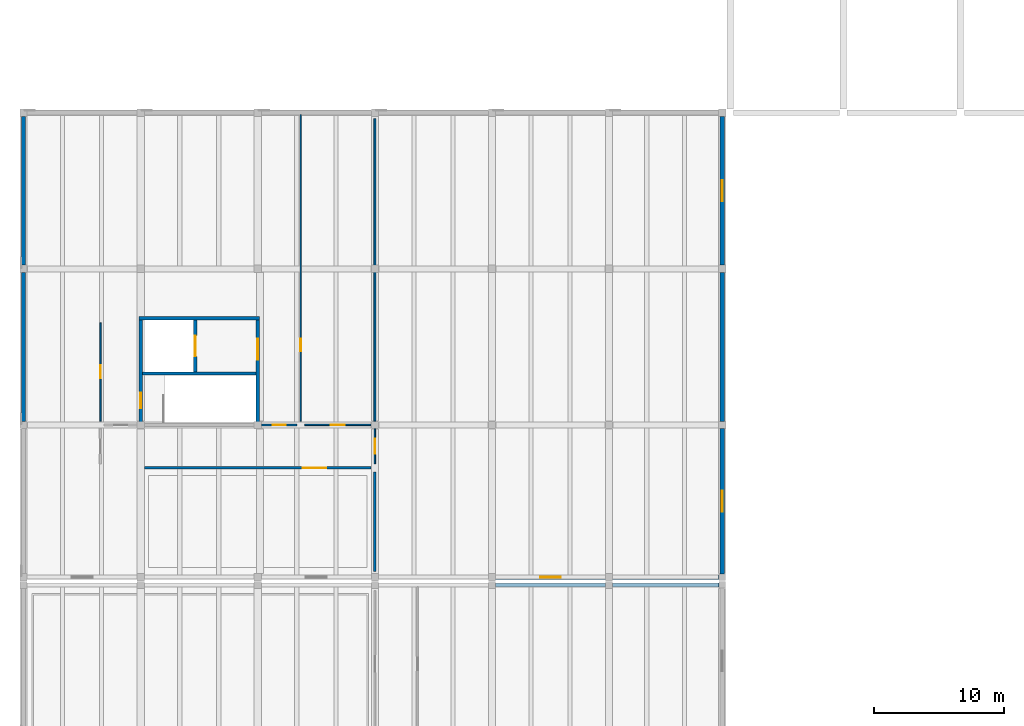
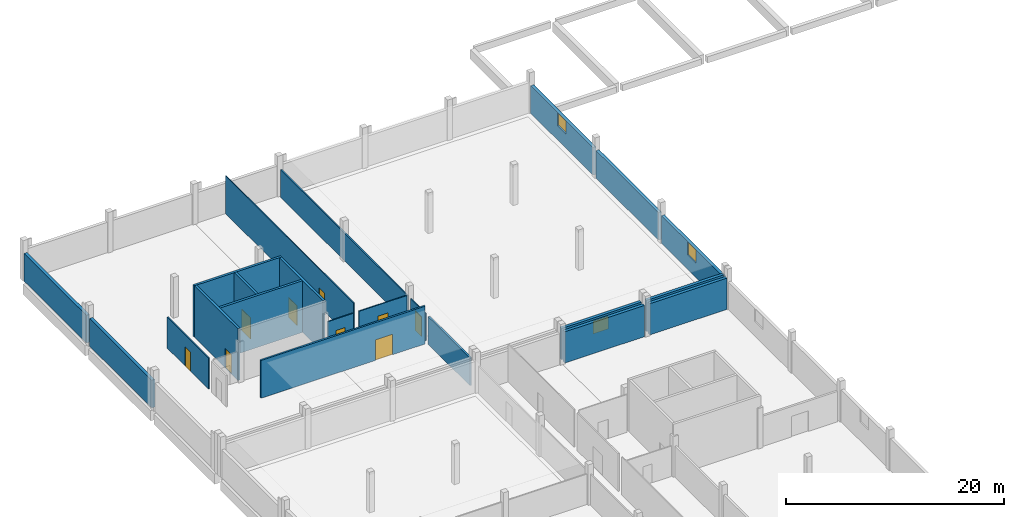
# One storey, part 11 of 25: 22 walls, 9 doors, 3 windows, 12 openings.
"""IFC4 building model written with IfcOpenShell, lengths in metres."""

from ifc_helpers import new_model, si_unit, direction, frame, frame_2d, origin, place, context, subcontext, project, spatial, rectangle, extrude, material, layer, layer_set, type_object, element, fill, save


model = new_model("IFC4")

# Units and contexts
model_context = context("Model", 3, precision=1e-05, world=origin(), true_north=direction((0.0, 1.0)))
body_context = subcontext(model_context, "Body", "Model", "MODEL_VIEW")
ifc_project = project(units=[si_unit("LENGTHUNIT", "METRE"), si_unit("AREAUNIT", "SQUARE_METRE"), si_unit("VOLUMEUNIT", "CUBIC_METRE"), si_unit("PLANEANGLEUNIT", "RADIAN"), si_unit("MASSUNIT", "GRAM", prefix="KILO")], contexts=[model_context])

# Site, building, storey
site_placement = place(None, origin())
site = spatial("IfcSite", under=ifc_project, at=site_placement, CompositionType="ELEMENT")
building_placement = place(site_placement, origin())
building = spatial("IfcBuilding", under=site, at=building_placement, Name="Zacnel Wholesale Market", CompositionType="ELEMENT")
storey_placement = place(building_placement, frame((0.0, 0.0, 15.75)))
storey = spatial("IfcBuildingStorey", under=building, at=storey_placement, Name="L04", CompositionType="ELEMENT", Elevation=15.75)

# Wall, opening, door
ifc_material_1 = material(Name="PIR insulated cold-store panel")
ifc_layer_1 = layer(ifc_material_1, 0.195068359375)
ifc_layer_set_1 = layer_set([ifc_layer_1], Name="PIR insulated cold-store panel")
wall_type_1 = type_object("IfcWallType", Name="WL-COLD-INT195", PredefinedType="STANDARD", material=ifc_layer_set_1)
wall_1_placement = place(storey_placement, frame((27.300048828125, 104.699951171875, 0.0), z_axis=(0.0, 0.0, 1.0), x_axis=(1.0, 0.0, 0.0)))
wall_1 = element("IfcWall", 1, at=wall_1_placement, inside=storey, type_object=wall_type_1, Name="Interior partition L04-0200", PredefinedType="STANDARD", context=body_context, shape_type="SweptSolid", body=[
    extrude(rectangle(XDim=17.39990234375, YDim=0.195068359375, at=frame_2d((8.699951171875, 0.0))), origin(), (0.0, 0.0, 1.0), 4.22998046875),
])
opening_1_placement = place(wall_1_placement, frame((12.14990234375, 0.0, 0.0)))
opening_1 = element("IfcOpeningElement", 2, at=opening_1_placement, cuts=wall_1, Name="Opening FD-03", PredefinedType="OPENING", context=body_context, shape_type="SweptSolid", body=[
    extrude(rectangle(XDim=1.800048828125, YDim=2.300048828125, at=frame_2d((0.89990234375, 1.14990234375))), frame((0.0, 0.107421875, 0.0), z_axis=(0.0, -1.0, 0.0), x_axis=(1.0, 0.0, 0.0)), (0.0, 0.0, 1.0), 0.215087890625),
])
ifc_material_2 = material(Name="Galvanized steel", Category="steel")
door_type_1 = type_object("IfcDoorType", Name="DR-FIRE-COMP-1800", OperationType="NOTDEFINED", PredefinedType="DOOR", material=ifc_material_2)
door_1_placement = place(opening_1_placement, origin())
door_1 = element("IfcDoor", 3, at=door_1_placement, inside=storey, type_object=door_type_1, Name="Interior door L04-0155", OperationType="SINGLE_SWING_RIGHT", OverallHeight=2.300048828125, OverallWidth=1.800048828125, PredefinedType="DOOR", context=body_context, shape_type="SweptSolid", body=[
    extrude(rectangle(XDim=1.800048828125, YDim=2.300048828125, at=frame_2d((0.89990234375, 1.14990234375))), frame((0.0, 0.02490234375, 0.0), z_axis=(0.0, -1.0, 0.0), x_axis=(1.0, 0.0, 0.0)), (0.0, 0.0, 1.0), 0.050048828125),
])
fill(opening_1, door_1)

# Walls
wall_2_placement = place(storey_placement, frame((45.0, 96.75, 0.0), z_axis=(0.0, 0.0, 1.0), x_axis=(0.0, 1.0, 0.0)))
element("IfcWall", 4, at=wall_2_placement, inside=storey, type_object=wall_type_1, Name="Interior partition L04-0206", PredefinedType="STANDARD", context=body_context, shape_type="SweptSolid", body=[
    extrude(rectangle(XDim=7.64990234375, YDim=0.195068359375, at=frame_2d((3.824951171875, 0.0))), origin(), (0.0, 0.0, 1.0), 3.10009765625),
])
ifc_material_3 = material(Name="Concrete C40/50", Category="concrete")
ifc_layer_2 = layer(ifc_material_3, 0.25)
ifc_layer_set_2 = layer_set([ifc_layer_2], Name="Concrete C40/50")
wall_type_2 = type_object("IfcWallType", Name="WL-CORE-SW250", PredefinedType="SOLIDWALL", material=ifc_layer_set_2)
wall_3_placement = place(storey_placement, frame((26.875, 116.199951171875, 0.0), z_axis=(0.0, 0.0, 1.0), x_axis=(1.0, 0.0, 0.0)))
element("IfcWall", 5, at=wall_3_placement, inside=storey, type_object=wall_type_2, Name="Core C5 north shear wall L04", PredefinedType="SOLIDWALL", context=body_context, shape_type="SweptSolid", body=[
    extrude(rectangle(XDim=9.25, YDim=0.25, at=frame_2d((4.625, 0.0))), origin(), (0.0, 0.0, 1.0), 5.800048828125),
])

# Wall, opening, door
wall_4_placement = place(storey_placement, frame((27.0, 108.125, 0.0), z_axis=(0.0, 0.0, 1.0), x_axis=(0.0, 1.0, 0.0)))
wall_4 = element("IfcWall", 6, at=wall_4_placement, inside=storey, type_object=wall_type_2, Name="Core C5 west shear wall L04", PredefinedType="SOLIDWALL", context=body_context, shape_type="SweptSolid", body=[
    extrude(rectangle(XDim=7.949951171875, YDim=0.25, at=frame_2d((3.97509765625, 0.0))), origin(), (0.0, 0.0, 1.0), 5.800048828125),
])
opening_2_placement = place(wall_4_placement, frame((1.14990234375, 0.0, 0.0)))
opening_2 = element("IfcOpeningElement", 7, at=opening_2_placement, cuts=wall_4, Name="Opening FD-01", PredefinedType="OPENING", context=body_context, shape_type="SweptSolid", body=[
    extrude(rectangle(XDim=1.199951171875, YDim=2.199951171875, at=frame_2d((0.60009765625, 1.10009765625))), frame((0.0, 0.135009765625, 0.0), z_axis=(0.0, -1.0, 0.0), x_axis=(1.0, 0.0, 0.0)), (0.0, 0.0, 1.0), 0.27001953125),
])
ifc_material_4 = material(Name="Galvanized steel", Category="steel")
door_type_2 = type_object("IfcDoorType", Name="DR-FIRE-STAIR-1200", OperationType="NOTDEFINED", PredefinedType="DOOR", material=ifc_material_4)
door_2_placement = place(opening_2_placement, origin())
door_2 = element("IfcDoor", 8, at=door_2_placement, inside=storey, type_object=door_type_2, Name="Protected stair fire door C5 L04", OperationType="SINGLE_SWING_RIGHT", OverallHeight=2.199951171875, OverallWidth=1.199951171875, PredefinedType="DOOR", context=body_context, shape_type="SweptSolid", body=[
    extrude(rectangle(XDim=1.199951171875, YDim=2.199951171875, at=frame_2d((0.60009765625, 1.10009765625))), frame((0.0, 0.02490234375, 0.0), z_axis=(0.0, -1.0, 0.0), x_axis=(1.0, 0.0, 0.0)), (0.0, 0.0, 1.0), 0.050048828125),
])
fill(opening_2, door_2)

wall_5_placement = place(storey_placement, frame((36.0, 108.125, 0.0), z_axis=(0.0, 0.0, 1.0), x_axis=(0.0, 1.0, 0.0)))
wall_5 = element("IfcWall", 9, at=wall_5_placement, inside=storey, type_object=wall_type_2, Name="Core C5 east shear wall L04", PredefinedType="SOLIDWALL", context=body_context, shape_type="SweptSolid", body=[
    extrude(rectangle(XDim=7.949951171875, YDim=0.25, at=frame_2d((3.97509765625, 0.0))), origin(), (0.0, 0.0, 1.0), 5.800048828125),
])
opening_3_placement = place(wall_5_placement, frame((4.89990234375, 0.0, 0.0)))
opening_3 = element("IfcOpeningElement", 10, at=opening_3_placement, cuts=wall_5, Name="Opening FD-02", PredefinedType="OPENING", context=body_context, shape_type="SweptSolid", body=[
    extrude(rectangle(XDim=1.60009765625, YDim=2.199951171875, at=frame_2d((0.800048828125, 1.10009765625))), frame((0.0, 0.135009765625, 0.0), z_axis=(0.0, -1.0, 0.0), x_axis=(1.0, 0.0, 0.0)), (0.0, 0.0, 1.0), 0.27001953125),
])
ifc_material_5 = material(Name="Galvanized steel", Category="steel")
door_type_3 = type_object("IfcDoorType", Name="DR-FIRE-LOBBY-1600", OperationType="NOTDEFINED", PredefinedType="DOOR", material=ifc_material_5)
door_3_placement = place(opening_3_placement, origin())
door_3 = element("IfcDoor", 11, at=door_3_placement, inside=storey, type_object=door_type_3, Name="Core lift lobby fire door C5 L04", OperationType="SINGLE_SWING_LEFT", OverallHeight=2.199951171875, OverallWidth=1.60009765625, PredefinedType="DOOR", context=body_context, shape_type="SweptSolid", body=[
    extrude(rectangle(XDim=1.60009765625, YDim=2.199951171875, at=frame_2d((0.800048828125, 1.10009765625))), frame((0.0, 0.02490234375, 0.0), z_axis=(0.0, -1.0, 0.0), x_axis=(1.0, 0.0, 0.0)), (0.0, 0.0, 1.0), 0.050048828125),
])
fill(opening_3, door_3)

# Wall
wall_6_placement = place(storey_placement, frame((27.125, 111.949951171875, 0.0), z_axis=(0.0, 0.0, 1.0), x_axis=(1.0, 0.0, 0.0)))
element("IfcWall", 12, at=wall_6_placement, inside=storey, type_object=wall_type_2, Name="Core C5 stair-shaft shear wall L04", PredefinedType="SOLIDWALL", context=body_context, shape_type="SweptSolid", body=[
    extrude(rectangle(XDim=8.75, YDim=0.25, at=frame_2d((4.375, 0.0))), origin(), (0.0, 0.0, 1.0), 5.800048828125),
])

# Wall, opening, door
wall_7_placement = place(storey_placement, frame((31.199951171875, 112.074951171875, 0.0), z_axis=(0.0, 0.0, 1.0), x_axis=(0.0, 1.0, 0.0)))
wall_7 = element("IfcWall", 13, at=wall_7_placement, inside=storey, type_object=wall_type_2, Name="Core C5 lift shaft front wall L04", PredefinedType="SOLIDWALL", context=body_context, shape_type="SweptSolid", body=[
    extrude(rectangle(XDim=4.0, YDim=0.25, at=frame_2d((2.0, 0.0))), origin(), (0.0, 0.0, 1.0), 5.800048828125),
])
opening_4_placement = place(wall_7_placement, frame((1.199951171875, 0.0, 0.0)))
opening_4 = element("IfcOpeningElement", 14, at=opening_4_placement, cuts=wall_7, Name="Opening LD-02", PredefinedType="OPENING", context=body_context, shape_type="SweptSolid", body=[
    extrude(rectangle(XDim=1.60009765625, YDim=2.39990234375, at=frame_2d((0.800048828125, 1.199951171875))), frame((0.0, 0.135009765625, 0.0), z_axis=(0.0, -1.0, 0.0), x_axis=(1.0, 0.0, 0.0)), (0.0, 0.0, 1.0), 0.27001953125),
])
ifc_material_6 = material(Name="Galvanized steel", Category="steel")
door_type_4 = type_object("IfcDoorType", Name="DR-LIFT-GOODS-1600", OperationType="NOTDEFINED", PredefinedType="DOOR", material=ifc_material_6)
door_4_placement = place(opening_4_placement, origin())
door_4 = element("IfcDoor", 15, at=door_4_placement, inside=storey, type_object=door_type_4, Name="Lift landing door LG-03 L04", OperationType="SLIDING_TO_LEFT", OverallHeight=2.39990234375, OverallWidth=1.60009765625, PredefinedType="DOOR", context=body_context, shape_type="SweptSolid", body=[
    extrude(rectangle(XDim=1.60009765625, YDim=2.39990234375, at=frame_2d((0.800048828125, 1.199951171875))), frame((0.0, 0.02490234375, 0.0), z_axis=(0.0, -1.0, 0.0), x_axis=(1.0, 0.0, 0.0)), (0.0, 0.0, 1.0), 0.050048828125),
])
fill(opening_4, door_4)

# Walls
ifc_material_7 = material(Name="Precast concrete C40/50 (insulated sandwich panel)", Category="concrete")
ifc_layer_3 = layer(ifc_material_7, 0.320068359375)
ifc_layer_set_3 = layer_set([ifc_layer_3], Name="Precast concrete C40/50 (insulated sandwich panel)")
wall_type_3 = type_object("IfcWallType", Name="WL-EXT-COLD-320", PredefinedType="SOLIDWALL", material=ifc_layer_set_3)
wall_8_placement = place(storey_placement, frame((54.27490234375, 95.699951171875, 0.0), z_axis=(0.0, 0.0, 1.0), x_axis=(1.0, 0.0, 0.0)))
element("IfcWall", 16, at=wall_8_placement, inside=storey, type_object=wall_type_3, Name="Exterior wall L04-0443", PredefinedType="SOLIDWALL", context=body_context, shape_type="SweptSolid", body=[
    extrude(rectangle(XDim=8.4501953125, YDim=0.320068359375, at=frame_2d((4.22509765625, 0.0))), origin(), (0.0, 0.0, 1.0), 3.5),
])
wall_9_placement = place(storey_placement, frame((63.27490234375, 95.699951171875, 0.0), z_axis=(0.0, 0.0, 1.0), x_axis=(1.0, 0.0, 0.0)))
element("IfcWall", 17, at=wall_9_placement, inside=storey, type_object=wall_type_3, Name="Exterior wall L04-0444", PredefinedType="SOLIDWALL", context=body_context, shape_type="SweptSolid", body=[
    extrude(rectangle(XDim=8.175048828125, YDim=0.320068359375, at=frame_2d((4.08740234375, 0.0))), origin(), (0.0, 0.0, 1.0), 3.5),
])

# Wall, opening, window
wall_10_placement = place(storey_placement, frame((54.27490234375, 96.300048828125, 0.0), z_axis=(0.0, 0.0, 1.0), x_axis=(1.0, 0.0, 0.0)))
wall_10 = element("IfcWall", 18, at=wall_10_placement, inside=storey, type_object=wall_type_3, Name="Exterior wall L04-0459", PredefinedType="SOLIDWALL", context=body_context, shape_type="SweptSolid", body=[
    extrude(rectangle(XDim=8.4501953125, YDim=0.320068359375, at=frame_2d((4.22509765625, 0.0))), origin(), (0.0, 0.0, 1.0), 3.5),
])
opening_5_placement = place(wall_10_placement, frame((3.425048828125, 0.0, 1.610107421875)))
opening_5 = element("IfcOpeningElement", 19, at=opening_5_placement, cuts=wall_10, Name="Opening W-06", PredefinedType="OPENING", context=body_context, shape_type="SweptSolid", body=[
    extrude(rectangle(XDim=1.60009765625, YDim=1.449951171875, at=frame_2d((0.800048828125, 0.72509765625))), frame((0.0, 0.169921875, 0.0), z_axis=(0.0, -1.0, 0.0), x_axis=(1.0, 0.0, 0.0)), (0.0, 0.0, 1.0), 0.340087890625),
])
ifc_material_8 = material(Name="Laminated hurricane-impact low-E insulated glass", Category="glass")
window_type = type_object("IfcWindowType", Name="WIN-HIG-1600X1450", PartitioningType="DOUBLE_PANEL_HORIZONTAL", PredefinedType="WINDOW", material=ifc_material_8)
window_1_placement = place(opening_5_placement, origin())
window_1 = element("IfcWindow", 20, at=window_1_placement, inside=storey, type_object=window_type, Name="Window L04-0493", OverallHeight=1.449951171875, OverallWidth=1.60009765625, PartitioningType="DOUBLE_PANEL_HORIZONTAL", PredefinedType="WINDOW", context=body_context, shape_type="SweptSolid", body=[
    extrude(rectangle(XDim=1.60009765625, YDim=1.449951171875, at=frame_2d((0.800048828125, 0.72509765625))), frame((0.0, 0.030029296875, 0.0), z_axis=(0.0, -1.0, 0.0), x_axis=(1.0, 0.0, 0.0)), (0.0, 0.0, 1.0), 0.06005859375),
])
fill(opening_5, window_1)

# Walls
wall_11_placement = place(storey_placement, frame((63.27490234375, 96.300048828125, 0.0), z_axis=(0.0, 0.0, 1.0), x_axis=(1.0, 0.0, 0.0)))
element("IfcWall", 21, at=wall_11_placement, inside=storey, type_object=wall_type_3, Name="Exterior wall L04-0460", PredefinedType="SOLIDWALL", context=body_context, shape_type="SweptSolid", body=[
    extrude(rectangle(XDim=8.175048828125, YDim=0.320068359375, at=frame_2d((4.08740234375, 0.0))), origin(), (0.0, 0.0, 1.0), 3.5),
])
for number, where, z_axis, x_axis, name in (
    (22, (18.0, 108.27490234375, 0.0), (0.0, 0.0, 1.0), (0.0, 1.0, 0.0), "Exterior wall L04-0468"),
    (23, (18.0, 120.27490234375, 0.0), (0.0, 0.0, 1.0), (0.0, 1.0, 0.0), "Exterior wall L04-0469"),
):
    element("IfcWall", number, at=place(storey_placement, frame(where, z_axis=z_axis, x_axis=x_axis)), inside=storey, type_object=wall_type_3, Name=name, PredefinedType="SOLIDWALL", context=body_context, shape_type="SweptSolid", body=[
        extrude(rectangle(XDim=11.4501953125, YDim=0.320068359375, at=frame_2d((5.72509765625, 0.0))), origin(), (0.0, 0.0, 1.0), 3.10009765625),
    ])

# Wall, opening, window
wall_12_placement = place(storey_placement, frame((71.699951171875, 96.550048828125, 0.0), z_axis=(0.0, 0.0, 1.0), x_axis=(0.0, 1.0, 0.0)))
wall_12 = element("IfcWall", 24, at=wall_12_placement, inside=storey, type_object=wall_type_3, Name="Exterior wall L04-0470", PredefinedType="SOLIDWALL", context=body_context, shape_type="SweptSolid", body=[
    extrude(rectangle(XDim=11.175048828125, YDim=0.320068359375, at=frame_2d((5.58740234375, 0.0))), origin(), (0.0, 0.0, 1.0), 3.10009765625),
])
opening_6_placement = place(wall_12_placement, frame((4.7880859375, 0.0, 1.610107421875)))
opening_6 = element("IfcOpeningElement", 25, at=opening_6_placement, cuts=wall_12, Name="Opening W-06", PredefinedType="OPENING", context=body_context, shape_type="SweptSolid", body=[
    extrude(rectangle(XDim=1.60009765625, YDim=1.449951171875, at=frame_2d((0.800048828125, 0.72509765625))), frame((0.0, 0.169921875, 0.0), z_axis=(0.0, -1.0, 0.0), x_axis=(1.0, 0.0, 0.0)), (0.0, 0.0, 1.0), 0.340087890625),
])
window_2_placement = place(opening_6_placement, origin())
window_2 = element("IfcWindow", 26, at=window_2_placement, inside=storey, type_object=window_type, Name="Window L04-0494", OverallHeight=1.449951171875, OverallWidth=1.60009765625, PartitioningType="DOUBLE_PANEL_HORIZONTAL", PredefinedType="WINDOW", context=body_context, shape_type="SweptSolid", body=[
    extrude(rectangle(XDim=1.60009765625, YDim=1.449951171875, at=frame_2d((0.800048828125, 0.72509765625))), frame((0.0, 0.030029296875, 0.0), z_axis=(0.0, -1.0, 0.0), x_axis=(1.0, 0.0, 0.0)), (0.0, 0.0, 1.0), 0.06005859375),
])
fill(opening_6, window_2)

# Wall
wall_13_placement = place(storey_placement, frame((71.699951171875, 108.27490234375, 0.0), z_axis=(0.0, 0.0, 1.0), x_axis=(0.0, 1.0, 0.0)))
element("IfcWall", 27, at=wall_13_placement, inside=storey, type_object=wall_type_3, Name="Exterior wall L04-0471", PredefinedType="SOLIDWALL", context=body_context, shape_type="SweptSolid", body=[
    extrude(rectangle(XDim=11.4501953125, YDim=0.320068359375, at=frame_2d((5.72509765625, 0.0))), origin(), (0.0, 0.0, 1.0), 3.10009765625),
])

# Wall, opening, window
wall_14_placement = place(storey_placement, frame((71.699951171875, 120.27490234375, 0.0), z_axis=(0.0, 0.0, 1.0), x_axis=(0.0, 1.0, 0.0)))
wall_14 = element("IfcWall", 28, at=wall_14_placement, inside=storey, type_object=wall_type_3, Name="Exterior wall L04-0472", PredefinedType="SOLIDWALL", context=body_context, shape_type="SweptSolid", body=[
    extrude(rectangle(XDim=11.4501953125, YDim=0.320068359375, at=frame_2d((5.72509765625, 0.0))), origin(), (0.0, 0.0, 1.0), 3.10009765625),
])
opening_7_placement = place(wall_14_placement, frame((4.925048828125, 0.0, 1.610107421875)))
opening_7 = element("IfcOpeningElement", 29, at=opening_7_placement, cuts=wall_14, Name="Opening W-06", PredefinedType="OPENING", context=body_context, shape_type="SweptSolid", body=[
    extrude(rectangle(XDim=1.60009765625, YDim=1.449951171875, at=frame_2d((0.800048828125, 0.72509765625))), frame((0.0, 0.169921875, 0.0), z_axis=(0.0, -1.0, 0.0), x_axis=(1.0, 0.0, 0.0)), (0.0, 0.0, 1.0), 0.340087890625),
])
window_3_placement = place(opening_7_placement, origin())
window_3 = element("IfcWindow", 30, at=window_3_placement, inside=storey, type_object=window_type, Name="Window L04-0495", OverallHeight=1.449951171875, OverallWidth=1.60009765625, PartitioningType="DOUBLE_PANEL_HORIZONTAL", PredefinedType="WINDOW", context=body_context, shape_type="SweptSolid", body=[
    extrude(rectangle(XDim=1.60009765625, YDim=1.449951171875, at=frame_2d((0.800048828125, 0.72509765625))), frame((0.0, 0.030029296875, 0.0), z_axis=(0.0, -1.0, 0.0), x_axis=(1.0, 0.0, 0.0)), (0.0, 0.0, 1.0), 0.06005859375),
])
fill(opening_7, window_3)

# Wall, opening, door
ifc_material_9 = material(Name="Moisture-resistant gypsum board partition")
ifc_layer_4 = layer(ifc_material_9, 0.10009765625)
ifc_layer_set_4 = layer_set([ifc_layer_4], Name="Moisture-resistant gypsum board partition")
wall_type_4 = type_object("IfcWallType", Name="WL-PART-GYP100", PredefinedType="PARTITIONING", material=ifc_layer_set_4)
wall_15_placement = place(storey_placement, frame((45.0, 105.0, 0.0), z_axis=(0.0, 0.0, 1.0), x_axis=(0.0, 1.0, 0.0)))
wall_15 = element("IfcWall", 31, at=wall_15_placement, inside=storey, type_object=wall_type_4, Name="Interior partition L04-0204", PredefinedType="PARTITIONING", context=body_context, shape_type="SweptSolid", body=[
    extrude(rectangle(XDim=2.699951171875, YDim=0.10009765625, at=frame_2d((1.35009765625, 0.0))), origin(), (0.0, 0.0, 1.0), 3.10009765625),
])
opening_8_placement = place(wall_15_placement, frame((0.77001953125, 0.0, 0.0)))
opening_8 = element("IfcOpeningElement", 32, at=opening_8_placement, cuts=wall_15, Name="Opening ID-13", PredefinedType="OPENING", context=body_context, shape_type="SweptSolid", body=[
    extrude(rectangle(XDim=1.159912109375, YDim=2.219970703125, at=frame_2d((0.580078125, 1.10986328125))), frame((0.0, 0.06005859375, 0.0), z_axis=(0.0, -1.0, 0.0), x_axis=(1.0, 0.0, 0.0)), (0.0, 0.0, 1.0), 0.1201171875),
])
ifc_material_10 = material(Name="Solid-core tropical hardwood door", Category="wood")
door_type_5 = type_object("IfcDoorType", Name="DR-LAB-SGL-1160", OperationType="NOTDEFINED", PredefinedType="DOOR", material=ifc_material_10)
door_5_placement = place(opening_8_placement, origin())
door_5 = element("IfcDoor", 33, at=door_5_placement, inside=storey, type_object=door_type_5, Name="Interior door L04-0159", OperationType="SINGLE_SWING_RIGHT", OverallHeight=2.219970703125, OverallWidth=1.159912109375, PredefinedType="DOOR", context=body_context, shape_type="SweptSolid", body=[
    extrude(rectangle(XDim=1.159912109375, YDim=2.219970703125, at=frame_2d((0.580078125, 1.10986328125))), frame((0.0, 0.02490234375, 0.0), z_axis=(0.0, -1.0, 0.0), x_axis=(1.0, 0.0, 0.0)), (0.0, 0.0, 1.0), 0.050048828125),
])
fill(opening_8, door_5)

wall_16_placement = place(storey_placement, frame((39.300048828125, 108.300048828125, 0.0), z_axis=(0.0, 0.0, 1.0), x_axis=(0.0, 1.0, 0.0)))
wall_16 = element("IfcWall", 34, at=wall_16_placement, inside=storey, type_object=wall_type_4, Name="Interior partition L04-0208", PredefinedType="PARTITIONING", context=body_context, shape_type="SweptSolid", body=[
    extrude(rectangle(XDim=23.56005859375, YDim=0.10009765625, at=frame_2d((11.780029296875, 0.0))), origin(), (0.0, 0.0, 1.0), 4.22998046875),
])
opening_9_placement = place(wall_16_placement, frame((5.360107421875, 0.0, 0.0)))
opening_9 = element("IfcOpeningElement", 35, at=opening_9_placement, cuts=wall_16, Name="Opening ID-04", PredefinedType="OPENING", context=body_context, shape_type="SweptSolid", body=[
    extrude(rectangle(XDim=0.97998046875, YDim=2.1201171875, at=frame_2d((0.489990234375, 1.06005859375))), frame((0.0, 0.06005859375, 0.0), z_axis=(0.0, -1.0, 0.0), x_axis=(1.0, 0.0, 0.0)), (0.0, 0.0, 1.0), 0.1201171875),
])
ifc_material_11 = material(Name="Solid-core tropical hardwood door", Category="wood")
door_type_6 = type_object("IfcDoorType", Name="DR-OFF-SGL-980", OperationType="NOTDEFINED", PredefinedType="DOOR", material=ifc_material_11)
door_6_placement = place(opening_9_placement, origin())
door_6 = element("IfcDoor", 36, at=door_6_placement, inside=storey, type_object=door_type_6, Name="Interior door L04-0162", OperationType="SINGLE_SWING_LEFT", OverallHeight=2.1201171875, OverallWidth=0.97998046875, PredefinedType="DOOR", context=body_context, shape_type="SweptSolid", body=[
    extrude(rectangle(XDim=0.97998046875, YDim=2.1201171875, at=frame_2d((0.489990234375, 1.06005859375))), frame((0.0, 0.02490234375, 0.0), z_axis=(0.0, -1.0, 0.0), x_axis=(1.0, 0.0, 0.0)), (0.0, 0.0, 1.0), 0.050048828125),
])
fill(opening_9, door_6)

ifc_material_12 = material(Name="Moisture-resistant gypsum board partition")
ifc_layer_5 = layer(ifc_material_12, 0.110107421875)
ifc_layer_set_5 = layer_set([ifc_layer_5], Name="Moisture-resistant gypsum board partition")
wall_type_5 = type_object("IfcWallType", Name="WL-PART-GYP110", PredefinedType="PARTITIONING", material=ifc_layer_set_5)
wall_17_placement = place(storey_placement, frame((39.60009765625, 108.0, 0.0), z_axis=(0.0, 0.0, 1.0), x_axis=(1.0, 0.0, 0.0)))
wall_17 = element("IfcWall", 37, at=wall_17_placement, inside=storey, type_object=wall_type_5, Name="Interior partition L04-0203", PredefinedType="PARTITIONING", context=body_context, shape_type="SweptSolid", body=[
    extrude(rectangle(XDim=5.099853515625, YDim=0.110107421875, at=frame_2d((2.5498046875, 0.0))), origin(), (0.0, 0.0, 1.0), 3.39990234375),
])
opening_10_placement = place(wall_17_placement, frame((2.010009765625, 0.0, 0.0)))
opening_10 = element("IfcOpeningElement", 38, at=opening_10_placement, cuts=wall_17, Name="Opening ID-10", PredefinedType="OPENING", context=body_context, shape_type="SweptSolid", body=[
    extrude(rectangle(XDim=1.080078125, YDim=2.14990234375, at=frame_2d((0.5400390625, 1.074951171875))), frame((0.0, 0.06494140625, 0.0), z_axis=(0.0, -1.0, 0.0), x_axis=(1.0, 0.0, 0.0)), (0.0, 0.0, 1.0), 0.130126953125),
])
ifc_material_13 = material(Name="Galvanized steel", Category="steel")
door_type_7 = type_object("IfcDoorType", Name="DR-STR-SGL-1080", OperationType="NOTDEFINED", PredefinedType="DOOR", material=ifc_material_13)
door_7_placement = place(opening_10_placement, origin())
door_7 = element("IfcDoor", 39, at=door_7_placement, inside=storey, type_object=door_type_7, Name="Interior door L04-0158", OperationType="SINGLE_SWING_LEFT", OverallHeight=2.14990234375, OverallWidth=1.080078125, PredefinedType="DOOR", context=body_context, shape_type="SweptSolid", body=[
    extrude(rectangle(XDim=1.080078125, YDim=2.14990234375, at=frame_2d((0.5400390625, 1.074951171875))), frame((0.0, 0.02490234375, 0.0), z_axis=(0.0, -1.0, 0.0), x_axis=(1.0, 0.0, 0.0)), (0.0, 0.0, 1.0), 0.050048828125),
])
fill(opening_10, door_7)

wall_18_placement = place(storey_placement, frame((23.89990234375, 108.300048828125, 0.0), z_axis=(0.0, 0.0, 1.0), x_axis=(0.0, 1.0, 0.0)))
wall_18 = element("IfcWall", 40, at=wall_18_placement, inside=storey, type_object=wall_type_5, Name="Interior partition L04-0207", PredefinedType="PARTITIONING", context=body_context, shape_type="SweptSolid", body=[
    extrude(rectangle(XDim=7.550048828125, YDim=0.110107421875, at=frame_2d((3.77490234375, 0.0))), origin(), (0.0, 0.0, 1.0), 3.5),
])
opening_11_placement = place(wall_18_placement, frame((3.27490234375, 0.0, 0.0)))
opening_11 = element("IfcOpeningElement", 41, at=opening_11_placement, cuts=wall_18, Name="Opening ID-03", PredefinedType="OPENING", context=body_context, shape_type="SweptSolid", body=[
    extrude(rectangle(XDim=1.0, YDim=2.14990234375, at=frame_2d((0.5, 1.074951171875))), frame((0.0, 0.06494140625, 0.0), z_axis=(0.0, -1.0, 0.0), x_axis=(1.0, 0.0, 0.0)), (0.0, 0.0, 1.0), 0.130126953125),
])
ifc_material_14 = material(Name="Solid-core tropical hardwood door", Category="wood")
door_type_8 = type_object("IfcDoorType", Name="DR-OFF-SGL-1000", OperationType="NOTDEFINED", PredefinedType="DOOR", material=ifc_material_14)
door_8_placement = place(opening_11_placement, origin())
door_8 = element("IfcDoor", 42, at=door_8_placement, inside=storey, type_object=door_type_8, Name="Interior door L04-0161", OperationType="SINGLE_SWING_RIGHT", OverallHeight=2.14990234375, OverallWidth=1.0, PredefinedType="DOOR", context=body_context, shape_type="SweptSolid", body=[
    extrude(rectangle(XDim=1.0, YDim=2.14990234375, at=frame_2d((0.5, 1.074951171875))), frame((0.0, 0.02490234375, 0.0), z_axis=(0.0, -1.0, 0.0), x_axis=(1.0, 0.0, 0.0)), (0.0, 0.0, 1.0), 0.050048828125),
])
fill(opening_11, door_8)

ifc_material_15 = material(Name="Moisture-resistant gypsum board partition")
ifc_layer_6 = layer(ifc_material_15, 0.125)
ifc_layer_set_6 = layer_set([ifc_layer_6], Name="Moisture-resistant gypsum board partition")
wall_type_6 = type_object("IfcWallType", Name="WL-PART-GYP125", PredefinedType="PARTITIONING", material=ifc_layer_set_6)
wall_19_placement = place(storey_placement, frame((36.300048828125, 108.0, 0.0), z_axis=(0.0, 0.0, 1.0), x_axis=(1.0, 0.0, 0.0)))
wall_19 = element("IfcWall", 43, at=wall_19_placement, inside=storey, type_object=wall_type_6, Name="Interior partition L04-0202", PredefinedType="PARTITIONING", context=body_context, shape_type="SweptSolid", body=[
    extrude(rectangle(XDim=2.699951171875, YDim=0.125, at=frame_2d((1.35009765625, 0.0))), origin(), (0.0, 0.0, 1.0), 3.39990234375),
])
opening_12_placement = place(wall_19_placement, frame((0.860107421875, 0.0, 0.0)))
opening_12 = element("IfcOpeningElement", 44, at=opening_12_placement, cuts=wall_19, Name="Opening ID-04", PredefinedType="OPENING", context=body_context, shape_type="SweptSolid", body=[
    extrude(rectangle(XDim=0.97998046875, YDim=2.1201171875, at=frame_2d((0.489990234375, 1.06005859375))), frame((0.0, 0.072509765625, 0.0), z_axis=(0.0, -1.0, 0.0), x_axis=(1.0, 0.0, 0.0)), (0.0, 0.0, 1.0), 0.14501953125),
])
door_9_placement = place(opening_12_placement, origin())
door_9 = element("IfcDoor", 45, at=door_9_placement, inside=storey, type_object=door_type_6, Name="Interior door L04-0157", OperationType="SINGLE_SWING_RIGHT", OverallHeight=2.1201171875, OverallWidth=0.97998046875, PredefinedType="DOOR", context=body_context, shape_type="SweptSolid", body=[
    extrude(rectangle(XDim=0.97998046875, YDim=2.1201171875, at=frame_2d((0.489990234375, 1.06005859375))), frame((0.0, 0.02490234375, 0.0), z_axis=(0.0, -1.0, 0.0), x_axis=(1.0, 0.0, 0.0)), (0.0, 0.0, 1.0), 0.050048828125),
])
fill(opening_12, door_9)

# Wall
ifc_material_16 = material(Name="Moisture-resistant gypsum board partition")
ifc_layer_7 = layer(ifc_material_16, 0.139892578125)
ifc_layer_set_7 = layer_set([ifc_layer_7], Name="Moisture-resistant gypsum board partition")
wall_type_7 = type_object("IfcWallType", Name="WL-PART-GYP140", PredefinedType="PARTITIONING", material=ifc_layer_set_7)
wall_20_placement = place(storey_placement, frame((45.0, 108.300048828125, 0.0), z_axis=(0.0, 0.0, 1.0), x_axis=(0.0, 1.0, 0.0)))
element("IfcWall", 46, at=wall_20_placement, inside=storey, type_object=wall_type_7, Name="Interior partition L04-0209", PredefinedType="PARTITIONING", context=body_context, shape_type="SweptSolid", body=[
    extrude(rectangle(XDim=23.25, YDim=0.139892578125, at=frame_2d((11.625, 0.0))), origin(), (0.0, 0.0, 1.0), 3.10009765625),
])

save(model, "model.ifc")
